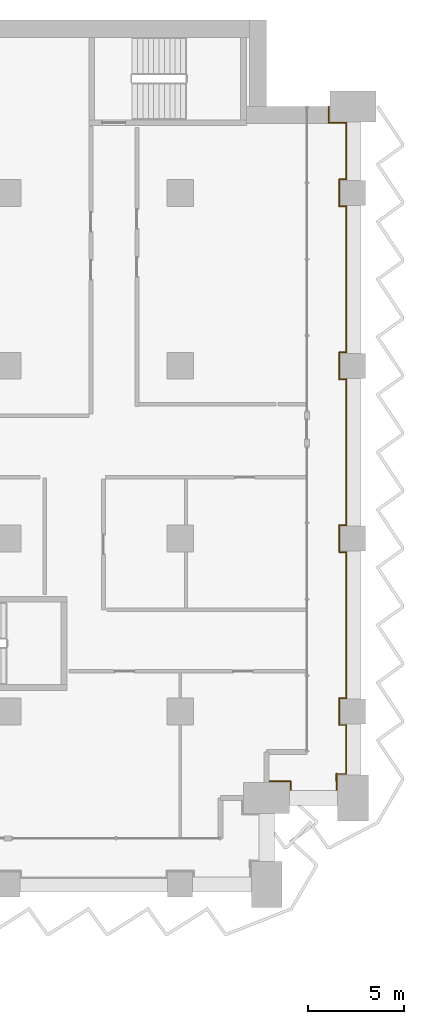
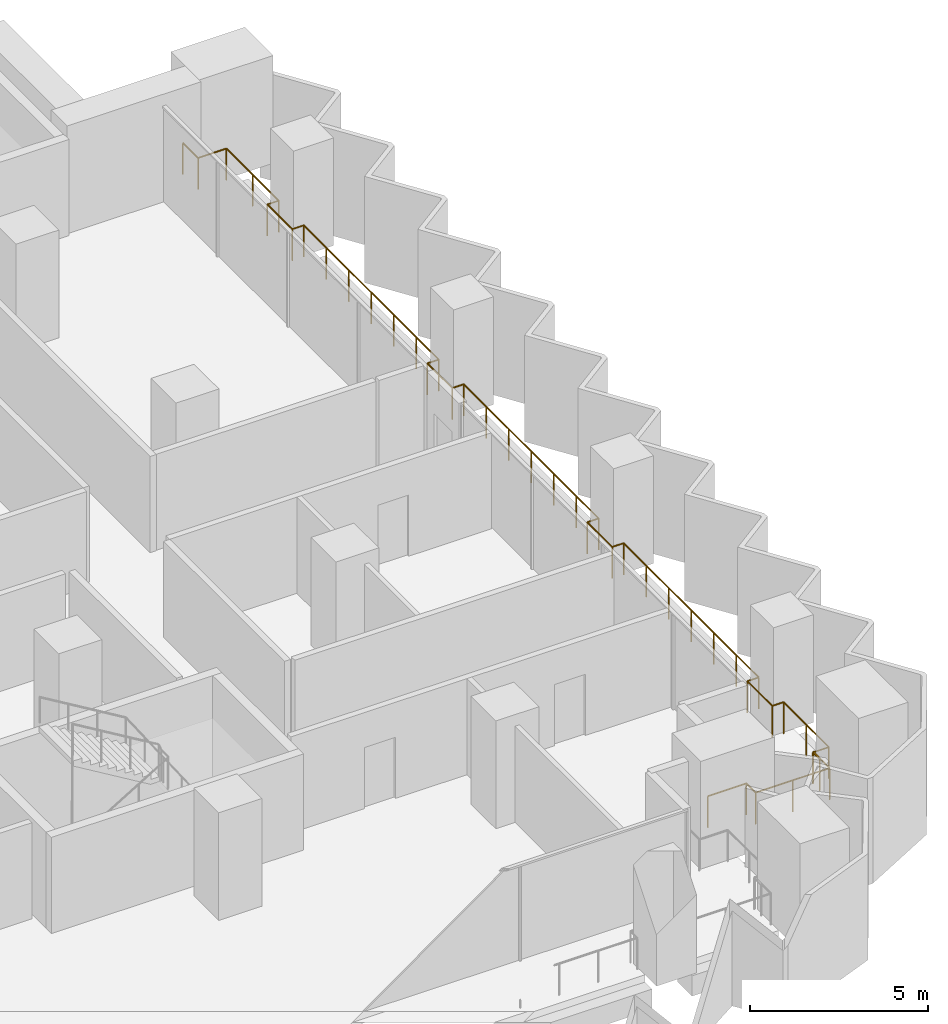
# One storey, part 28 of 28: 1 railing.
"""IFC4 building model written with IfcOpenShell, lengths in metres."""

from ifc_helpers import new_model, si_unit, direction, frame, origin, origin_2d, place, context, subcontext, project, spatial, circle, extrude, material, type_object, element, save


model = new_model("IFC4")

# Units and contexts
model_context = context("Model", 3, precision=1e-05, world=origin(), true_north=direction((0.0, 1.0)))
body_context = subcontext(model_context, "Body", "Model", "MODEL_VIEW")
ifc_project = project(units=[si_unit("LENGTHUNIT", "METRE"), si_unit("AREAUNIT", "SQUARE_METRE"), si_unit("VOLUMEUNIT", "CUBIC_METRE"), si_unit("PLANEANGLEUNIT", "RADIAN"), si_unit("MASSUNIT", "GRAM", prefix="KILO")], contexts=[model_context])

# Site, building, storey
site_placement = place(None, origin())
site = spatial("IfcSite", under=ifc_project, at=site_placement, CompositionType="ELEMENT")
building_placement = place(site_placement, origin())
building = spatial("IfcBuilding", under=site, at=building_placement, Name="Hunhe Ridgeline Campus", CompositionType="ELEMENT")
storey_placement = place(building_placement, frame((0.0, 0.0, 72.800048828125)))
storey = spatial("IfcBuildingStorey", under=building, at=storey_placement, Name="L17", CompositionType="ELEMENT", Elevation=72.800048828125)

# Railing
ifc_material = material(Name="Steel Q355", Category="steel")
railing_type = type_object("IfcRailingType", Name="Loggia guard 1100 Steel Q355", PredefinedType="GUARDRAIL", material=ifc_material)
railing_placement = place(storey_placement, frame((94.5, 59.3701171875, 0.0)))
element("IfcRailing", 1, at=railing_placement, inside=storey, type_object=railing_type, Name="Loggia guard 3", PredefinedType="GUARDRAIL", context=body_context, shape_type="SweptSolid", body=[
    extrude(circle(Radius=0.02392578125, at=origin_2d()), frame((0.0, 0.0, 1.076171875), z_axis=(1.0, 0.0, 0.0), x_axis=(0.0, 1.0, 0.0)), (0.0, 0.0, 1.0), 1.25),
    extrude(circle(Radius=0.02392578125, at=origin_2d()), frame((1.25, 0.0, 1.076171875), z_axis=(0.0, -1.0, 0.0), x_axis=(1.0, 0.0, 0.0)), (0.0, 0.0, 1.0), 0.52001953125),
    extrude(circle(Radius=0.02392578125, at=origin_2d()), frame((1.25, -0.52001953125, 1.076171875), z_axis=(1.0, 0.0, 0.0), x_axis=(0.0, 1.0, 0.0)), (0.0, 0.0, 1.0), 2.39990234375),
    extrude(circle(Radius=0.02392578125, at=origin_2d()), frame((3.64990234375, -0.52001953125, 1.076171875), z_axis=(0.0, 1.0, 0.0), x_axis=(-1.0, 0.0, 0.0)), (0.0, 0.0, 1.0), 0.919921875),
    extrude(circle(Radius=0.02392578125, at=origin_2d()), frame((3.64990234375, 0.39990234375, 1.076171875), z_axis=(-0.049998438503, -0.998749295943, 0.0), x_axis=(0.998749295943, -0.049998438503, 0.0)), (0.0, 0.0, 1.0), 0.400390625),
    extrude(circle(Radius=0.02392578125, at=origin_2d()), frame((3.6298828125, 0.0, 1.076171875), z_axis=(0.0, 1.0, 0.0), x_axis=(-1.0, 0.0, 0.0)), (0.0, 0.0, 1.0), 0.3798828125),
    extrude(circle(Radius=0.02392578125, at=origin_2d()), frame((3.6298828125, 0.3798828125, 1.076171875), z_axis=(1.0, 0.0, 0.0), x_axis=(0.0, 1.0, 0.0)), (0.0, 0.0, 1.0), 0.52001953125),
    extrude(circle(Radius=0.02392578125, at=origin_2d()), frame((4.14990234375, 0.3798828125, 1.076171875), z_axis=(0.0, 1.0, 0.0), x_axis=(-1.0, 0.0, 0.0)), (0.0, 0.0, 1.0), 2.550048828125),
    extrude(circle(Radius=0.02392578125, at=origin_2d()), frame((4.14990234375, 2.929931640625, 1.076171875), z_axis=(-1.0, 0.0, 0.0), x_axis=(0.0, -1.0, 0.0)), (0.0, 0.0, 1.0), 0.369873046875),
    extrude(circle(Radius=0.02392578125, at=origin_2d()), frame((3.780029296875, 2.929931640625, 1.076171875), z_axis=(0.0, 1.0, 0.0), x_axis=(-1.0, 0.0, 0.0)), (0.0, 0.0, 1.0), 1.39990234375),
    extrude(circle(Radius=0.02392578125, at=origin_2d()), frame((3.780029296875, 4.329833984375, 1.076171875), z_axis=(1.0, 0.0, 0.0), x_axis=(0.0, 1.0, 0.0)), (0.0, 0.0, 1.0), 0.369873046875),
    extrude(circle(Radius=0.02392578125, at=origin_2d()), frame((4.14990234375, 4.329833984375, 1.076171875), z_axis=(0.0, 1.0, 0.0), x_axis=(-1.0, 0.0, 0.0)), (0.0, 0.0, 1.0), 7.60009765625),
    extrude(circle(Radius=0.02392578125, at=origin_2d()), frame((4.14990234375, 11.929931640625, 1.076171875), z_axis=(-1.0, 0.0, 0.0), x_axis=(0.0, -1.0, 0.0)), (0.0, 0.0, 1.0), 0.369873046875),
    extrude(circle(Radius=0.02392578125, at=origin_2d()), frame((3.780029296875, 11.929931640625, 1.076171875), z_axis=(0.0, 1.0, 0.0), x_axis=(-1.0, 0.0, 0.0)), (0.0, 0.0, 1.0), 1.39990234375),
    extrude(circle(Radius=0.02392578125, at=origin_2d()), frame((3.780029296875, 13.329833984375, 1.076171875), z_axis=(1.0, 0.0, 0.0), x_axis=(0.0, 1.0, 0.0)), (0.0, 0.0, 1.0), 0.369873046875),
    extrude(circle(Radius=0.02392578125, at=origin_2d()), frame((4.14990234375, 13.329833984375, 1.076171875), z_axis=(0.0, 1.0, 0.0), x_axis=(-1.0, 0.0, 0.0)), (0.0, 0.0, 1.0), 7.60009765625),
    extrude(circle(Radius=0.02392578125, at=origin_2d()), frame((4.14990234375, 20.929931640625, 1.076171875), z_axis=(-1.0, 0.0, 0.0), x_axis=(0.0, -1.0, 0.0)), (0.0, 0.0, 1.0), 0.369873046875),
    extrude(circle(Radius=0.02392578125, at=origin_2d()), frame((3.780029296875, 20.929931640625, 1.076171875), z_axis=(0.0, 1.0, 0.0), x_axis=(-1.0, 0.0, 0.0)), (0.0, 0.0, 1.0), 1.39990234375),
    extrude(circle(Radius=0.02392578125, at=origin_2d()), frame((3.780029296875, 22.329833984375, 1.076171875), z_axis=(1.0, 0.0, 0.0), x_axis=(0.0, 1.0, 0.0)), (0.0, 0.0, 1.0), 0.369873046875),
    extrude(circle(Radius=0.02392578125, at=origin_2d()), frame((4.14990234375, 22.329833984375, 1.076171875), z_axis=(0.0, 1.0, 0.0), x_axis=(-1.0, 0.0, 0.0)), (0.0, 0.0, 1.0), 7.60009765625),
    extrude(circle(Radius=0.02392578125, at=origin_2d()), frame((4.14990234375, 29.929931640625, 1.076171875), z_axis=(-1.0, 0.0, 0.0), x_axis=(0.0, -1.0, 0.0)), (0.0, 0.0, 1.0), 0.369873046875),
    extrude(circle(Radius=0.02392578125, at=origin_2d()), frame((3.780029296875, 29.929931640625, 1.076171875), z_axis=(0.0, 1.0, 0.0), x_axis=(-1.0, 0.0, 0.0)), (0.0, 0.0, 1.0), 1.39990234375),
    extrude(circle(Radius=0.02392578125, at=origin_2d()), frame((3.780029296875, 31.329833984375, 1.076171875), z_axis=(1.0, 0.0, 0.0), x_axis=(0.0, 1.0, 0.0)), (0.0, 0.0, 1.0), 0.369873046875),
    extrude(circle(Radius=0.02392578125, at=origin_2d()), frame((4.14990234375, 31.329833984375, 1.076171875), z_axis=(0.0, 1.0, 0.0), x_axis=(-1.0, 0.0, 0.0)), (0.0, 0.0, 1.0), 2.949951171875),
    extrude(circle(Radius=0.02392578125, at=origin_2d()), frame((4.14990234375, 34.27978515625, 1.076171875), z_axis=(-1.0, 0.0, 0.0), x_axis=(0.0, -1.0, 0.0)), (0.0, 0.0, 1.0), 0.919921875),
    extrude(circle(Radius=0.02392578125, at=origin_2d()), frame((3.22998046875, 34.27978515625, 1.076171875), z_axis=(0.0, 1.0, 0.0), x_axis=(-1.0, 0.0, 0.0)), (0.0, 0.0, 1.0), 0.85009765625),
    extrude(circle(Radius=0.02099609375, at=origin_2d()), origin(), (0.0, 0.0, 1.0), 1.052001953125),
    extrude(circle(Radius=0.02099609375, at=origin_2d()), frame((1.25, 0.0, 0.0)), (0.0, 0.0, 1.0), 1.052001953125),
    extrude(circle(Radius=0.02099609375, at=origin_2d()), frame((1.25, -0.52001953125, 0.0)), (0.0, 0.0, 1.0), 1.052001953125),
    extrude(circle(Radius=0.02099609375, at=origin_2d()), frame((2.449951171875, -0.52001953125, 0.0)), (0.0, 0.0, 1.0), 1.052001953125),
    extrude(circle(Radius=0.02099609375, at=origin_2d()), frame((3.64990234375, -0.52001953125, 0.0)), (0.0, 0.0, 1.0), 1.052001953125),
    extrude(circle(Radius=0.02099609375, at=origin_2d()), frame((3.64990234375, 0.39990234375, 0.0)), (0.0, 0.0, 1.0), 1.052001953125),
    extrude(circle(Radius=0.02099609375, at=origin_2d()), frame((3.6298828125, 0.0, 0.0)), (0.0, 0.0, 1.0), 1.052001953125),
    extrude(circle(Radius=0.02099609375, at=origin_2d()), frame((3.6298828125, 0.3798828125, 0.0)), (0.0, 0.0, 1.0), 1.052001953125),
    extrude(circle(Radius=0.02099609375, at=origin_2d()), frame((4.14990234375, 0.3798828125, 0.0)), (0.0, 0.0, 1.0), 1.052001953125),
    extrude(circle(Radius=0.02099609375, at=origin_2d()), frame((4.14990234375, 1.65478515625, 0.0)), (0.0, 0.0, 1.0), 1.052001953125),
    extrude(circle(Radius=0.02099609375, at=origin_2d()), frame((4.14990234375, 2.929931640625, 0.0)), (0.0, 0.0, 1.0), 1.052001953125),
    extrude(circle(Radius=0.02099609375, at=origin_2d()), frame((3.780029296875, 2.929931640625, 0.0)), (0.0, 0.0, 1.0), 1.052001953125),
    extrude(circle(Radius=0.02099609375, at=origin_2d()), frame((3.780029296875, 4.329833984375, 0.0)), (0.0, 0.0, 1.0), 1.052001953125),
    extrude(circle(Radius=0.02099609375, at=origin_2d()), frame((4.14990234375, 4.329833984375, 0.0)), (0.0, 0.0, 1.0), 1.052001953125),
    extrude(circle(Radius=0.02099609375, at=origin_2d()), frame((4.14990234375, 5.596435546875, 0.0)), (0.0, 0.0, 1.0), 1.052001953125),
    extrude(circle(Radius=0.02099609375, at=origin_2d()), frame((4.14990234375, 6.86328125, 0.0)), (0.0, 0.0, 1.0), 1.052001953125),
    extrude(circle(Radius=0.02099609375, at=origin_2d()), frame((4.14990234375, 8.1298828125, 0.0)), (0.0, 0.0, 1.0), 1.052001953125),
    extrude(circle(Radius=0.02099609375, at=origin_2d()), frame((4.14990234375, 9.396484375, 0.0)), (0.0, 0.0, 1.0), 1.052001953125),
    extrude(circle(Radius=0.02099609375, at=origin_2d()), frame((4.14990234375, 10.663330078125, 0.0)), (0.0, 0.0, 1.0), 1.052001953125),
    extrude(circle(Radius=0.02099609375, at=origin_2d()), frame((4.14990234375, 11.929931640625, 0.0)), (0.0, 0.0, 1.0), 1.052001953125),
    extrude(circle(Radius=0.02099609375, at=origin_2d()), frame((3.780029296875, 11.929931640625, 0.0)), (0.0, 0.0, 1.0), 1.052001953125),
    extrude(circle(Radius=0.02099609375, at=origin_2d()), frame((3.780029296875, 13.329833984375, 0.0)), (0.0, 0.0, 1.0), 1.052001953125),
    extrude(circle(Radius=0.02099609375, at=origin_2d()), frame((4.14990234375, 13.329833984375, 0.0)), (0.0, 0.0, 1.0), 1.052001953125),
    extrude(circle(Radius=0.02099609375, at=origin_2d()), frame((4.14990234375, 14.596435546875, 0.0)), (0.0, 0.0, 1.0), 1.052001953125),
    extrude(circle(Radius=0.02099609375, at=origin_2d()), frame((4.14990234375, 15.86328125, 0.0)), (0.0, 0.0, 1.0), 1.052001953125),
    extrude(circle(Radius=0.02099609375, at=origin_2d()), frame((4.14990234375, 17.1298828125, 0.0)), (0.0, 0.0, 1.0), 1.052001953125),
    extrude(circle(Radius=0.02099609375, at=origin_2d()), frame((4.14990234375, 18.396484375, 0.0)), (0.0, 0.0, 1.0), 1.052001953125),
    extrude(circle(Radius=0.02099609375, at=origin_2d()), frame((4.14990234375, 19.663330078125, 0.0)), (0.0, 0.0, 1.0), 1.052001953125),
    extrude(circle(Radius=0.02099609375, at=origin_2d()), frame((4.14990234375, 20.929931640625, 0.0)), (0.0, 0.0, 1.0), 1.052001953125),
    extrude(circle(Radius=0.02099609375, at=origin_2d()), frame((3.780029296875, 20.929931640625, 0.0)), (0.0, 0.0, 1.0), 1.052001953125),
    extrude(circle(Radius=0.02099609375, at=origin_2d()), frame((3.780029296875, 22.329833984375, 0.0)), (0.0, 0.0, 1.0), 1.052001953125),
    extrude(circle(Radius=0.02099609375, at=origin_2d()), frame((4.14990234375, 22.329833984375, 0.0)), (0.0, 0.0, 1.0), 1.052001953125),
    extrude(circle(Radius=0.02099609375, at=origin_2d()), frame((4.14990234375, 23.596435546875, 0.0)), (0.0, 0.0, 1.0), 1.052001953125),
    extrude(circle(Radius=0.02099609375, at=origin_2d()), frame((4.14990234375, 24.86328125, 0.0)), (0.0, 0.0, 1.0), 1.052001953125),
    extrude(circle(Radius=0.02099609375, at=origin_2d()), frame((4.14990234375, 26.1298828125, 0.0)), (0.0, 0.0, 1.0), 1.052001953125),
    extrude(circle(Radius=0.02099609375, at=origin_2d()), frame((4.14990234375, 27.396484375, 0.0)), (0.0, 0.0, 1.0), 1.052001953125),
    extrude(circle(Radius=0.02099609375, at=origin_2d()), frame((4.14990234375, 28.663330078125, 0.0)), (0.0, 0.0, 1.0), 1.052001953125),
    extrude(circle(Radius=0.02099609375, at=origin_2d()), frame((4.14990234375, 29.929931640625, 0.0)), (0.0, 0.0, 1.0), 1.052001953125),
    extrude(circle(Radius=0.02099609375, at=origin_2d()), frame((3.780029296875, 29.929931640625, 0.0)), (0.0, 0.0, 1.0), 1.052001953125),
    extrude(circle(Radius=0.02099609375, at=origin_2d()), frame((3.780029296875, 31.329833984375, 0.0)), (0.0, 0.0, 1.0), 1.052001953125),
    extrude(circle(Radius=0.02099609375, at=origin_2d()), frame((4.14990234375, 31.329833984375, 0.0)), (0.0, 0.0, 1.0), 1.052001953125),
    extrude(circle(Radius=0.02099609375, at=origin_2d()), frame((4.14990234375, 32.8046875, 0.0)), (0.0, 0.0, 1.0), 1.052001953125),
    extrude(circle(Radius=0.02099609375, at=origin_2d()), frame((4.14990234375, 34.27978515625, 0.0)), (0.0, 0.0, 1.0), 1.052001953125),
    extrude(circle(Radius=0.02099609375, at=origin_2d()), frame((3.22998046875, 34.27978515625, 0.0)), (0.0, 0.0, 1.0), 1.052001953125),
    extrude(circle(Radius=0.02099609375, at=origin_2d()), frame((3.22998046875, 35.1298828125, 0.0)), (0.0, 0.0, 1.0), 1.052001953125),
])

save(model, "model.ifc")
